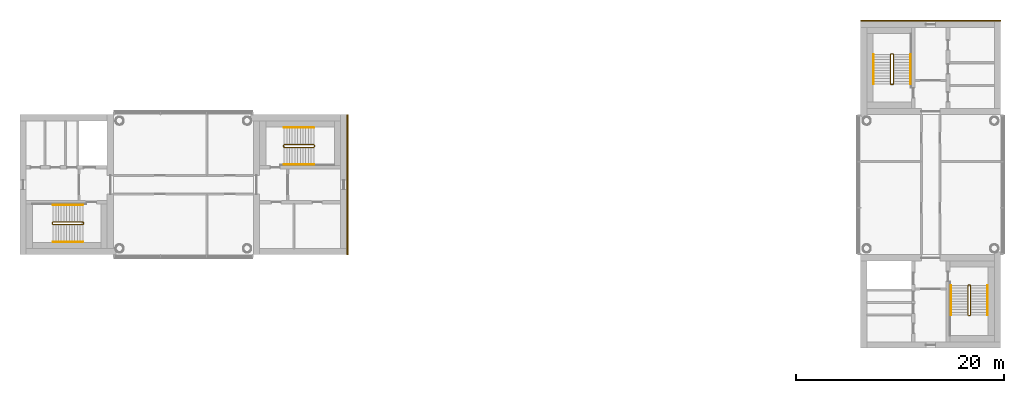
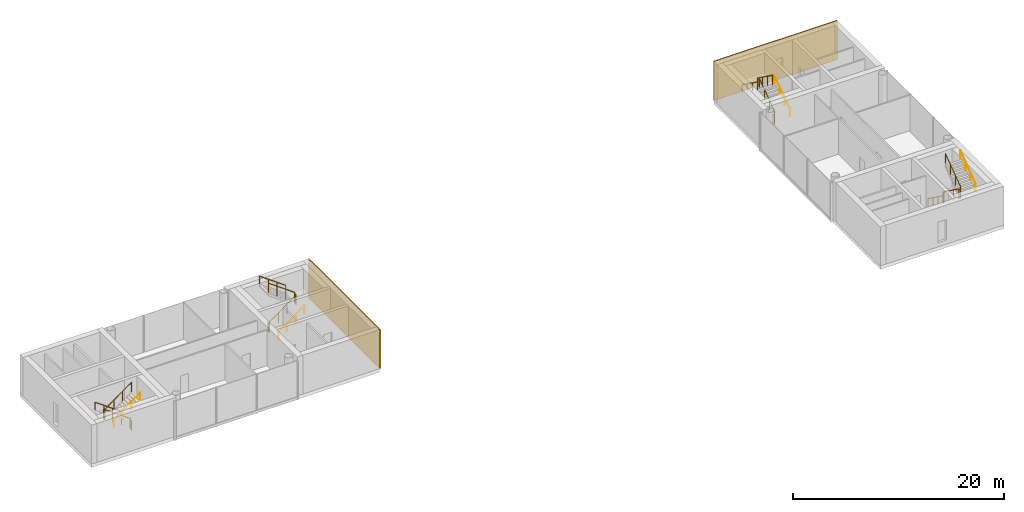
# One storey, part 12 of 12: 12 railings, 2 coverings.
"""IFC4 building model written with IfcOpenShell, lengths in metres."""

from ifc_helpers import new_model, si_unit, direction, frame, origin, origin_2d, place, context, subcontext, project, spatial, rectangle, circle, extrude, material, layer, layer_set, type_object, element, save


model = new_model("IFC4")

# Units and contexts
model_context = context("Model", 3, precision=1e-05, world=origin(), true_north=direction((0.0, 1.0)))
body_context = subcontext(model_context, "Body", "Model", "MODEL_VIEW")
ifc_project = project(units=[si_unit("LENGTHUNIT", "METRE"), si_unit("AREAUNIT", "SQUARE_METRE"), si_unit("VOLUMEUNIT", "CUBIC_METRE"), si_unit("PLANEANGLEUNIT", "RADIAN"), si_unit("MASSUNIT", "GRAM", prefix="KILO")], contexts=[model_context])

# Site, building, storey
site_placement = place(None, origin())
site = spatial("IfcSite", under=ifc_project, at=site_placement, CompositionType="ELEMENT")
building_placement = place(site_placement, origin())
building = spatial("IfcBuilding", under=site, at=building_placement, Name="Ipe Terrace Towers", CompositionType="ELEMENT")
storey_placement = place(building_placement, frame((0.0, 0.0, 260.39990234375)))
storey = spatial("IfcBuildingStorey", under=building, at=storey_placement, Name="L71", CompositionType="ELEMENT", Elevation=260.39990234375)

# Coverings
ifc_material_1 = material(Name="Concrete C50/60 precast, buff finish", Category="concrete")
ifc_layer = layer(ifc_material_1, 0.1201171875)
ifc_layer_set = layer_set([ifc_layer], Name="STONE CORE CLADDING 120")
covering_type = type_object("IfcCoveringType", Name="STONE CORE CLADDING 120", PredefinedType="CLADDING", material=ifc_layer_set)
for number, where, z_axis, x_axis, name in (
    (1, (-20.18994140625, 0.0, 0.0), (0.0, 0.0, 1.0), (0.0, 1.0, 0.0), "stone core cladding"),
    (2, (36.0, 15.81005859375, 0.0), (0.0, 0.0, 1.0), (-1.0, 0.0, 0.0), "stone core cladding"),
):
    element("IfcCovering", number, at=place(storey_placement, frame(where, z_axis=z_axis, x_axis=x_axis)), inside=storey, type_object=covering_type, Name=name, PredefinedType="CLADDING", context=body_context, shape_type="SweptSolid", body=[
        extrude(rectangle(XDim=13.5, YDim=0.1201171875, at=origin_2d()), origin(), (0.0, 0.0, 1.0), 4.5),
    ])

# Railings
ifc_material_2 = material(Name="Steel S355", Category="steel")
railing_type_1 = type_object("IfcRailingType", Name="Stair guard 1100", PredefinedType="GUARDRAIL", material=ifc_material_2)
railing_1_placement = place(storey_placement, frame((-26.35009765625, 3.800048828125, 0.0)))
element("IfcRailing", 3, at=railing_1_placement, inside=storey, type_object=railing_type_1, Name="L71 T1-ST1 stair guard 1", PredefinedType="GUARDRAIL", context=body_context, shape_type="SweptSolid", body=[
    extrude(circle(Radius=0.02392578125, at=origin_2d()), frame((0.0, 0.0, 1.076171875), z_axis=(0.0, -1.0, 0.0), x_axis=(1.0, 0.0, 0.0)), (0.0, 0.0, 1.0), 0.150146484375),
    extrude(circle(Radius=0.02392578125, at=origin_2d()), frame((0.0, -0.150146484375, 1.076171875), z_axis=(0.249802250048, -0.248583702486, 0.935844527007), x_axis=(0.705375805398, 0.708833529934, 0.0)), (0.0, 0.0, 1.0), 0.200439453125),
    extrude(circle(Radius=0.02392578125, at=origin_2d()), frame((0.050048828125, -0.199951171875, 1.263671875), z_axis=(0.811100754333, 0.0, 0.584906459462), x_axis=(0.0, 1.0, 0.0)), (0.0, 0.0, 1.0), 3.526123046875),
    extrude(circle(Radius=0.02392578125, at=origin_2d()), frame((2.91015625, -0.199951171875, 3.326171875), z_axis=(0.708833529934, 0.705375805398, 0.0), x_axis=(-0.705375805398, 0.708833529934, 0.0)), (0.0, 0.0, 1.0), 0.070556640625),
    extrude(circle(Radius=0.02392578125, at=origin_2d()), frame((2.960205078125, -0.150146484375, 3.326171875), z_axis=(0.0, 1.0, 0.0), x_axis=(-1.0, 0.0, 0.0)), (0.0, 0.0, 1.0), 0.150146484375),
    extrude(circle(Radius=0.02392578125, at=origin_2d()), frame((2.960205078125, 0.0, 3.326171875), z_axis=(-0.249726431254, 0.249726431254, 0.935560483917), x_axis=(-0.707106781187, -0.707106781187, 0.0)), (0.0, 0.0, 1.0), 0.200439453125),
    extrude(circle(Radius=0.02392578125, at=origin_2d()), frame((2.91015625, 0.050048828125, 3.513671875), z_axis=(-0.811100754333, 0.0, 0.584906459462), x_axis=(0.0, -1.0, 0.0)), (0.0, 0.0, 1.0), 3.526123046875),
    extrude(circle(Radius=0.02099609375, at=origin_2d()), origin(), (0.0, 0.0, 1.0), 1.052001953125),
    extrude(circle(Radius=0.02099609375, at=origin_2d()), frame((0.0, -0.150146484375, 0.0)), (0.0, 0.0, 1.0), 1.052001953125),
    extrude(circle(Radius=0.02099609375, at=origin_2d()), frame((0.050048828125, -0.199951171875, 0.1875)), (0.0, 0.0, 1.0), 1.052001953125),
    extrude(circle(Radius=0.02099609375, at=origin_2d()), frame((1.00341796875, -0.199951171875, 0.875)), (0.0, 0.0, 1.0), 1.052001953125),
    extrude(circle(Radius=0.02099609375, at=origin_2d()), frame((1.956787109375, -0.199951171875, 1.5625)), (0.0, 0.0, 1.0), 1.052001953125),
    extrude(circle(Radius=0.02099609375, at=origin_2d()), frame((2.91015625, -0.199951171875, 2.25)), (0.0, 0.0, 1.0), 1.052001953125),
    extrude(circle(Radius=0.02099609375, at=origin_2d()), frame((2.960205078125, -0.150146484375, 2.25)), (0.0, 0.0, 1.0), 1.052001953125),
    extrude(circle(Radius=0.02099609375, at=origin_2d()), frame((2.960205078125, 0.0, 2.25)), (0.0, 0.0, 1.0), 1.052001953125),
    extrude(circle(Radius=0.02099609375, at=origin_2d()), frame((2.91015625, 0.050048828125, 2.4375)), (0.0, 0.0, 1.0), 1.052001953125),
    extrude(circle(Radius=0.02099609375, at=origin_2d()), frame((1.956787109375, 0.050048828125, 3.125)), (0.0, 0.0, 1.0), 1.052001953125),
    extrude(circle(Radius=0.02099609375, at=origin_2d()), frame((1.00341796875, 0.050048828125, 3.8125)), (0.0, 0.0, 1.0), 1.052001953125),
    extrude(circle(Radius=0.02099609375, at=origin_2d()), frame((0.050048828125, 0.050048828125, 4.5)), (0.0, 0.0, 1.0), 1.052001953125),
])
railing_2_placement = place(storey_placement, frame((-45.64990234375, -3.800048828125, 0.0)))
element("IfcRailing", 4, at=railing_2_placement, inside=storey, type_object=railing_type_1, Name="L71 T1-ST2 stair guard 1", PredefinedType="GUARDRAIL", context=body_context, shape_type="SweptSolid", body=[
    extrude(circle(Radius=0.02392578125, at=origin_2d()), frame((0.0, 0.0, 1.076171875), z_axis=(0.0, 1.0, 0.0), x_axis=(-1.0, 0.0, 0.0)), (0.0, 0.0, 1.0), 0.150146484375),
    extrude(circle(Radius=0.02392578125, at=origin_2d()), frame((0.0, 0.150146484375, 1.076171875), z_axis=(-0.249802250048, 0.248583702486, 0.935844527007), x_axis=(-0.705375805398, -0.708833529934, 0.0)), (0.0, 0.0, 1.0), 0.200439453125),
    extrude(circle(Radius=0.02392578125, at=origin_2d()), frame((-0.050048828125, 0.199951171875, 1.263671875), z_axis=(-0.811100754333, 0.0, 0.584906459462), x_axis=(0.0, -1.0, 0.0)), (0.0, 0.0, 1.0), 3.526123046875),
    extrude(circle(Radius=0.02392578125, at=origin_2d()), frame((-2.91015625, 0.199951171875, 3.326171875), z_axis=(-0.708833529934, -0.705375805398, 0.0), x_axis=(0.705375805398, -0.708833529934, 0.0)), (0.0, 0.0, 1.0), 0.070556640625),
    extrude(circle(Radius=0.02392578125, at=origin_2d()), frame((-2.960205078125, 0.150146484375, 3.326171875), z_axis=(0.0, -1.0, 0.0), x_axis=(1.0, 0.0, 0.0)), (0.0, 0.0, 1.0), 0.150146484375),
    extrude(circle(Radius=0.02392578125, at=origin_2d()), frame((-2.960205078125, 0.0, 3.326171875), z_axis=(0.249726431254, -0.249726431254, 0.935560483917), x_axis=(0.707106781187, 0.707106781187, 0.0)), (0.0, 0.0, 1.0), 0.200439453125),
    extrude(circle(Radius=0.02392578125, at=origin_2d()), frame((-2.91015625, -0.050048828125, 3.513671875), z_axis=(0.811100754333, 0.0, 0.584906459462), x_axis=(0.0, 1.0, 0.0)), (0.0, 0.0, 1.0), 3.526123046875),
    extrude(circle(Radius=0.02099609375, at=origin_2d()), origin(), (0.0, 0.0, 1.0), 1.052001953125),
    extrude(circle(Radius=0.02099609375, at=origin_2d()), frame((0.0, 0.150146484375, 0.0)), (0.0, 0.0, 1.0), 1.052001953125),
    extrude(circle(Radius=0.02099609375, at=origin_2d()), frame((-0.050048828125, 0.199951171875, 0.1875)), (0.0, 0.0, 1.0), 1.052001953125),
    extrude(circle(Radius=0.02099609375, at=origin_2d()), frame((-1.00341796875, 0.199951171875, 0.875)), (0.0, 0.0, 1.0), 1.052001953125),
    extrude(circle(Radius=0.02099609375, at=origin_2d()), frame((-1.956787109375, 0.199951171875, 1.5625)), (0.0, 0.0, 1.0), 1.052001953125),
    extrude(circle(Radius=0.02099609375, at=origin_2d()), frame((-2.91015625, 0.199951171875, 2.25)), (0.0, 0.0, 1.0), 1.052001953125),
    extrude(circle(Radius=0.02099609375, at=origin_2d()), frame((-2.960205078125, 0.150146484375, 2.25)), (0.0, 0.0, 1.0), 1.052001953125),
    extrude(circle(Radius=0.02099609375, at=origin_2d()), frame((-2.960205078125, 0.0, 2.25)), (0.0, 0.0, 1.0), 1.052001953125),
    extrude(circle(Radius=0.02099609375, at=origin_2d()), frame((-2.91015625, -0.050048828125, 2.4375)), (0.0, 0.0, 1.0), 1.052001953125),
    extrude(circle(Radius=0.02099609375, at=origin_2d()), frame((-1.956787109375, -0.050048828125, 3.125)), (0.0, 0.0, 1.0), 1.052001953125),
    extrude(circle(Radius=0.02099609375, at=origin_2d()), frame((-1.00341796875, -0.050048828125, 3.8125)), (0.0, 0.0, 1.0), 1.052001953125),
    extrude(circle(Radius=0.02099609375, at=origin_2d()), frame((-0.050048828125, -0.050048828125, 4.5)), (0.0, 0.0, 1.0), 1.052001953125),
])
railing_3_placement = place(storey_placement, frame((32.199951171875, 9.64990234375, 0.0)))
element("IfcRailing", 5, at=railing_3_placement, inside=storey, type_object=railing_type_1, Name="L71 T2-ST1 stair guard 1", PredefinedType="GUARDRAIL", context=body_context, shape_type="SweptSolid", body=[
    extrude(circle(Radius=0.02392578125, at=origin_2d()), frame((0.0, 0.0, 1.076171875), z_axis=(1.0, 0.0, 0.0), x_axis=(0.0, 1.0, 0.0)), (0.0, 0.0, 1.0), 0.150146484375),
    extrude(circle(Radius=0.02392578125, at=origin_2d()), frame((0.150146484375, 0.0, 1.076171875), z_axis=(0.248583702486, 0.249802250048, 0.935844527007), x_axis=(-0.708833529934, 0.705375805398, 0.0)), (0.0, 0.0, 1.0), 0.200439453125),
    extrude(circle(Radius=0.02392578125, at=origin_2d()), frame((0.199951171875, 0.050048828125, 1.263671875), z_axis=(0.0, 0.811100754333, 0.584906459462), x_axis=(-1.0, 0.0, 0.0)), (0.0, 0.0, 1.0), 3.526123046875),
    extrude(circle(Radius=0.02392578125, at=origin_2d()), frame((0.199951171875, 2.91015625, 3.326171875), z_axis=(-0.705375805398, 0.708833529934, 0.0), x_axis=(-0.708833529934, -0.705375805398, 0.0)), (0.0, 0.0, 1.0), 0.070556640625),
    extrude(circle(Radius=0.02392578125, at=origin_2d()), frame((0.150146484375, 2.960205078125, 3.326171875), z_axis=(-1.0, 0.0, 0.0), x_axis=(0.0, -1.0, 0.0)), (0.0, 0.0, 1.0), 0.150146484375),
    extrude(circle(Radius=0.02392578125, at=origin_2d()), frame((0.0, 2.960205078125, 3.326171875), z_axis=(-0.249726431254, -0.249726431254, 0.935560483917), x_axis=(0.707106781187, -0.707106781187, 0.0)), (0.0, 0.0, 1.0), 0.200439453125),
    extrude(circle(Radius=0.02392578125, at=origin_2d()), frame((-0.050048828125, 2.91015625, 3.513671875), z_axis=(0.0, -0.811100754333, 0.584906459462), x_axis=(1.0, 0.0, 0.0)), (0.0, 0.0, 1.0), 3.526123046875),
    extrude(circle(Radius=0.02099609375, at=origin_2d()), origin(), (0.0, 0.0, 1.0), 1.052001953125),
    extrude(circle(Radius=0.02099609375, at=origin_2d()), frame((0.150146484375, 0.0, 0.0)), (0.0, 0.0, 1.0), 1.052001953125),
    extrude(circle(Radius=0.02099609375, at=origin_2d()), frame((0.199951171875, 0.050048828125, 0.1875)), (0.0, 0.0, 1.0), 1.052001953125),
    extrude(circle(Radius=0.02099609375, at=origin_2d()), frame((0.199951171875, 1.00341796875, 0.875)), (0.0, 0.0, 1.0), 1.052001953125),
    extrude(circle(Radius=0.02099609375, at=origin_2d()), frame((0.199951171875, 1.956787109375, 1.5625)), (0.0, 0.0, 1.0), 1.052001953125),
    extrude(circle(Radius=0.02099609375, at=origin_2d()), frame((0.199951171875, 2.91015625, 2.25)), (0.0, 0.0, 1.0), 1.052001953125),
    extrude(circle(Radius=0.02099609375, at=origin_2d()), frame((0.150146484375, 2.960205078125, 2.25)), (0.0, 0.0, 1.0), 1.052001953125),
    extrude(circle(Radius=0.02099609375, at=origin_2d()), frame((0.0, 2.960205078125, 2.25)), (0.0, 0.0, 1.0), 1.052001953125),
    extrude(circle(Radius=0.02099609375, at=origin_2d()), frame((-0.050048828125, 2.91015625, 2.4375)), (0.0, 0.0, 1.0), 1.052001953125),
    extrude(circle(Radius=0.02099609375, at=origin_2d()), frame((-0.050048828125, 1.956787109375, 3.125)), (0.0, 0.0, 1.0), 1.052001953125),
    extrude(circle(Radius=0.02099609375, at=origin_2d()), frame((-0.050048828125, 1.00341796875, 3.8125)), (0.0, 0.0, 1.0), 1.052001953125),
    extrude(circle(Radius=0.02099609375, at=origin_2d()), frame((-0.050048828125, 0.050048828125, 4.5)), (0.0, 0.0, 1.0), 1.052001953125),
])
railing_4_placement = place(storey_placement, frame((39.800048828125, -9.64990234375, 0.0)))
element("IfcRailing", 6, at=railing_4_placement, inside=storey, type_object=railing_type_1, Name="L71 T2-ST2 stair guard 1", PredefinedType="GUARDRAIL", context=body_context, shape_type="SweptSolid", body=[
    extrude(circle(Radius=0.02392578125, at=origin_2d()), frame((0.0, 0.0, 1.076171875), z_axis=(-1.0, 0.0, 0.0), x_axis=(0.0, -1.0, 0.0)), (0.0, 0.0, 1.0), 0.150146484375),
    extrude(circle(Radius=0.02392578125, at=origin_2d()), frame((-0.150146484375, 0.0, 1.076171875), z_axis=(-0.248583702486, -0.249802250048, 0.935844527007), x_axis=(0.708833529934, -0.705375805398, 0.0)), (0.0, 0.0, 1.0), 0.200439453125),
    extrude(circle(Radius=0.02392578125, at=origin_2d()), frame((-0.199951171875, -0.050048828125, 1.263671875), z_axis=(0.0, -0.811100754333, 0.584906459462), x_axis=(1.0, 0.0, 0.0)), (0.0, 0.0, 1.0), 3.526123046875),
    extrude(circle(Radius=0.02392578125, at=origin_2d()), frame((-0.199951171875, -2.91015625, 3.326171875), z_axis=(0.705375805398, -0.708833529934, 0.0), x_axis=(0.708833529934, 0.705375805398, 0.0)), (0.0, 0.0, 1.0), 0.070556640625),
    extrude(circle(Radius=0.02392578125, at=origin_2d()), frame((-0.150146484375, -2.960205078125, 3.326171875), z_axis=(1.0, 0.0, 0.0), x_axis=(0.0, 1.0, 0.0)), (0.0, 0.0, 1.0), 0.150146484375),
    extrude(circle(Radius=0.02392578125, at=origin_2d()), frame((0.0, -2.960205078125, 3.326171875), z_axis=(0.249726431254, 0.249726431254, 0.935560483917), x_axis=(-0.707106781187, 0.707106781187, 0.0)), (0.0, 0.0, 1.0), 0.200439453125),
    extrude(circle(Radius=0.02392578125, at=origin_2d()), frame((0.050048828125, -2.91015625, 3.513671875), z_axis=(0.0, 0.811100754333, 0.584906459462), x_axis=(-1.0, 0.0, 0.0)), (0.0, 0.0, 1.0), 3.526123046875),
    extrude(circle(Radius=0.02099609375, at=origin_2d()), origin(), (0.0, 0.0, 1.0), 1.052001953125),
    extrude(circle(Radius=0.02099609375, at=origin_2d()), frame((-0.150146484375, 0.0, 0.0)), (0.0, 0.0, 1.0), 1.052001953125),
    extrude(circle(Radius=0.02099609375, at=origin_2d()), frame((-0.199951171875, -0.050048828125, 0.1875)), (0.0, 0.0, 1.0), 1.052001953125),
    extrude(circle(Radius=0.02099609375, at=origin_2d()), frame((-0.199951171875, -1.00341796875, 0.875)), (0.0, 0.0, 1.0), 1.052001953125),
    extrude(circle(Radius=0.02099609375, at=origin_2d()), frame((-0.199951171875, -1.956787109375, 1.5625)), (0.0, 0.0, 1.0), 1.052001953125),
    extrude(circle(Radius=0.02099609375, at=origin_2d()), frame((-0.199951171875, -2.91015625, 2.25)), (0.0, 0.0, 1.0), 1.052001953125),
    extrude(circle(Radius=0.02099609375, at=origin_2d()), frame((-0.150146484375, -2.960205078125, 2.25)), (0.0, 0.0, 1.0), 1.052001953125),
    extrude(circle(Radius=0.02099609375, at=origin_2d()), frame((0.0, -2.960205078125, 2.25)), (0.0, 0.0, 1.0), 1.052001953125),
    extrude(circle(Radius=0.02099609375, at=origin_2d()), frame((0.050048828125, -2.91015625, 2.4375)), (0.0, 0.0, 1.0), 1.052001953125),
    extrude(circle(Radius=0.02099609375, at=origin_2d()), frame((0.050048828125, -1.956787109375, 3.125)), (0.0, 0.0, 1.0), 1.052001953125),
    extrude(circle(Radius=0.02099609375, at=origin_2d()), frame((0.050048828125, -1.00341796875, 3.8125)), (0.0, 0.0, 1.0), 1.052001953125),
    extrude(circle(Radius=0.02099609375, at=origin_2d()), frame((0.050048828125, -0.050048828125, 4.5)), (0.0, 0.0, 1.0), 1.052001953125),
])
ifc_material_3 = material(Name="Stainless steel grade 304", Category="steel")
railing_type_2 = type_object("IfcRailingType", Name="Stair handrail 900", PredefinedType="HANDRAIL", material=ifc_material_3)
railing_5_placement = place(storey_placement, frame((-26.300048828125, 1.949951171875, 0.1875)))
element("IfcRailing", 7, at=railing_5_placement, inside=storey, type_object=railing_type_2, Name="L71 T1-ST1 stair handrail 1", PredefinedType="HANDRAIL", context=body_context, shape_type="SweptSolid", body=[
    extrude(circle(Radius=0.02392578125, at=origin_2d()), frame((0.0, 0.0, 0.8759765625), z_axis=(0.811100754333, 0.0, 0.584906459462), x_axis=(0.0, 1.0, 0.0)), (0.0, 0.0, 1.0), 3.526123046875),
    extrude(circle(Radius=0.02099609375, at=origin_2d()), origin(), (0.0, 0.0, 1.0), 0.851806640625),
    extrude(circle(Radius=0.02099609375, at=origin_2d()), frame((0.953369140625, 0.0, 0.6875)), (0.0, 0.0, 1.0), 0.851806640625),
    extrude(circle(Radius=0.02099609375, at=origin_2d()), frame((1.90673828125, 0.0, 1.375)), (0.0, 0.0, 1.0), 0.851806640625),
    extrude(circle(Radius=0.02099609375, at=origin_2d()), frame((2.860107421875, 0.0, 2.0625)), (0.0, 0.0, 1.0), 0.851806640625),
])
for number, where, name in (
    (8, (-23.43994140625, 5.5, 2.4375), "L71 T1-ST1 stair handrail 2"),
    (9, (-45.699951171875, -1.949951171875, 0.1875), "L71 T1-ST2 stair handrail 1"),
):
    element("IfcRailing", number, at=place(storey_placement, frame(where)), inside=storey, type_object=railing_type_2, Name=name, PredefinedType="HANDRAIL", context=body_context, shape_type="SweptSolid", body=[
        extrude(circle(Radius=0.02392578125, at=origin_2d()), frame((0.0, 0.0, 0.8759765625), z_axis=(-0.811100754333, 0.0, 0.584906459462), x_axis=(0.0, -1.0, 0.0)), (0.0, 0.0, 1.0), 3.526123046875),
        extrude(circle(Radius=0.02099609375, at=origin_2d()), origin(), (0.0, 0.0, 1.0), 0.851806640625),
        extrude(circle(Radius=0.02099609375, at=origin_2d()), frame((-0.953369140625, 0.0, 0.6875)), (0.0, 0.0, 1.0), 0.851806640625),
        extrude(circle(Radius=0.02099609375, at=origin_2d()), frame((-1.90673828125, 0.0, 1.375)), (0.0, 0.0, 1.0), 0.851806640625),
        extrude(circle(Radius=0.02099609375, at=origin_2d()), frame((-2.860107421875, 0.0, 2.0625)), (0.0, 0.0, 1.0), 0.851806640625),
    ])
railing_6_placement = place(storey_placement, frame((-48.56005859375, -5.5, 2.4375)))
element("IfcRailing", 10, at=railing_6_placement, inside=storey, type_object=railing_type_2, Name="L71 T1-ST2 stair handrail 2", PredefinedType="HANDRAIL", context=body_context, shape_type="SweptSolid", body=[
    extrude(circle(Radius=0.02392578125, at=origin_2d()), frame((0.0, 0.0, 0.8759765625), z_axis=(0.811100754333, 0.0, 0.584906459462), x_axis=(0.0, 1.0, 0.0)), (0.0, 0.0, 1.0), 3.526123046875),
    extrude(circle(Radius=0.02099609375, at=origin_2d()), origin(), (0.0, 0.0, 1.0), 0.851806640625),
    extrude(circle(Radius=0.02099609375, at=origin_2d()), frame((0.953369140625, 0.0, 0.6875)), (0.0, 0.0, 1.0), 0.851806640625),
    extrude(circle(Radius=0.02099609375, at=origin_2d()), frame((1.90673828125, 0.0, 1.375)), (0.0, 0.0, 1.0), 0.851806640625),
    extrude(circle(Radius=0.02099609375, at=origin_2d()), frame((2.860107421875, 0.0, 2.0625)), (0.0, 0.0, 1.0), 0.851806640625),
])
railing_7_placement = place(storey_placement, frame((34.050048828125, 9.699951171875, 0.1875)))
element("IfcRailing", 11, at=railing_7_placement, inside=storey, type_object=railing_type_2, Name="L71 T2-ST1 stair handrail 1", PredefinedType="HANDRAIL", context=body_context, shape_type="SweptSolid", body=[
    extrude(circle(Radius=0.02392578125, at=origin_2d()), frame((0.0, 0.0, 0.8759765625), z_axis=(0.0, 0.811100754333, 0.584906459462), x_axis=(-1.0, 0.0, 0.0)), (0.0, 0.0, 1.0), 3.526123046875),
    extrude(circle(Radius=0.02099609375, at=origin_2d()), origin(), (0.0, 0.0, 1.0), 0.851806640625),
    extrude(circle(Radius=0.02099609375, at=origin_2d()), frame((0.0, 0.953369140625, 0.6875)), (0.0, 0.0, 1.0), 0.851806640625),
    extrude(circle(Radius=0.02099609375, at=origin_2d()), frame((0.0, 1.90673828125, 1.375)), (0.0, 0.0, 1.0), 0.851806640625),
    extrude(circle(Radius=0.02099609375, at=origin_2d()), frame((0.0, 2.860107421875, 2.0625)), (0.0, 0.0, 1.0), 0.851806640625),
])
for number, where, name in (
    (12, (30.5, 12.56005859375, 2.4375), "L71 T2-ST1 stair handrail 2"),
    (13, (37.949951171875, -9.699951171875, 0.1875), "L71 T2-ST2 stair handrail 1"),
):
    element("IfcRailing", number, at=place(storey_placement, frame(where)), inside=storey, type_object=railing_type_2, Name=name, PredefinedType="HANDRAIL", context=body_context, shape_type="SweptSolid", body=[
        extrude(circle(Radius=0.02392578125, at=origin_2d()), frame((0.0, 0.0, 0.8759765625), z_axis=(0.0, -0.811100754333, 0.584906459462), x_axis=(1.0, 0.0, 0.0)), (0.0, 0.0, 1.0), 3.526123046875),
        extrude(circle(Radius=0.02099609375, at=origin_2d()), origin(), (0.0, 0.0, 1.0), 0.851806640625),
        extrude(circle(Radius=0.02099609375, at=origin_2d()), frame((0.0, -0.953369140625, 0.6875)), (0.0, 0.0, 1.0), 0.851806640625),
        extrude(circle(Radius=0.02099609375, at=origin_2d()), frame((0.0, -1.90673828125, 1.375)), (0.0, 0.0, 1.0), 0.851806640625),
        extrude(circle(Radius=0.02099609375, at=origin_2d()), frame((0.0, -2.860107421875, 2.0625)), (0.0, 0.0, 1.0), 0.851806640625),
    ])
railing_8_placement = place(storey_placement, frame((41.5, -12.56005859375, 2.4375)))
element("IfcRailing", 14, at=railing_8_placement, inside=storey, type_object=railing_type_2, Name="L71 T2-ST2 stair handrail 2", PredefinedType="HANDRAIL", context=body_context, shape_type="SweptSolid", body=[
    extrude(circle(Radius=0.02392578125, at=origin_2d()), frame((0.0, 0.0, 0.8759765625), z_axis=(0.0, 0.811100754333, 0.584906459462), x_axis=(-1.0, 0.0, 0.0)), (0.0, 0.0, 1.0), 3.526123046875),
    extrude(circle(Radius=0.02099609375, at=origin_2d()), origin(), (0.0, 0.0, 1.0), 0.851806640625),
    extrude(circle(Radius=0.02099609375, at=origin_2d()), frame((0.0, 0.953369140625, 0.6875)), (0.0, 0.0, 1.0), 0.851806640625),
    extrude(circle(Radius=0.02099609375, at=origin_2d()), frame((0.0, 1.90673828125, 1.375)), (0.0, 0.0, 1.0), 0.851806640625),
    extrude(circle(Radius=0.02099609375, at=origin_2d()), frame((0.0, 2.860107421875, 2.0625)), (0.0, 0.0, 1.0), 0.851806640625),
])

save(model, "model.ifc")
